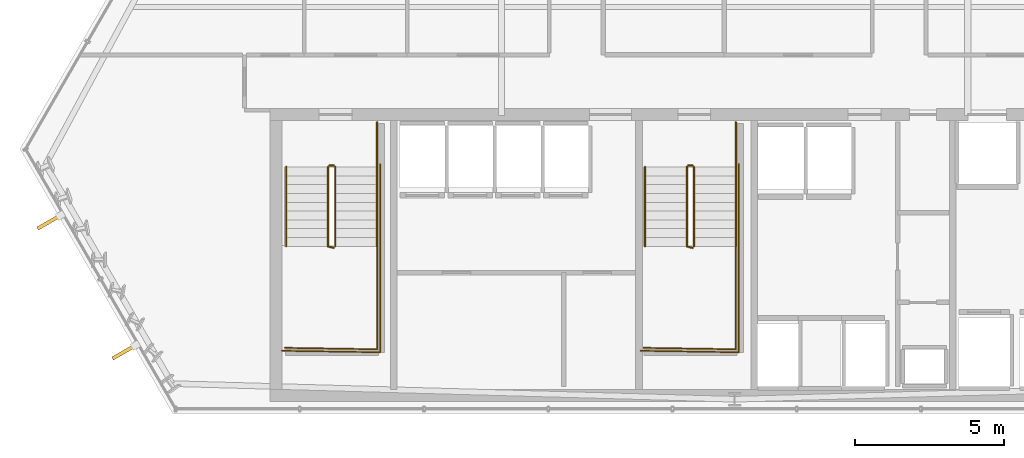
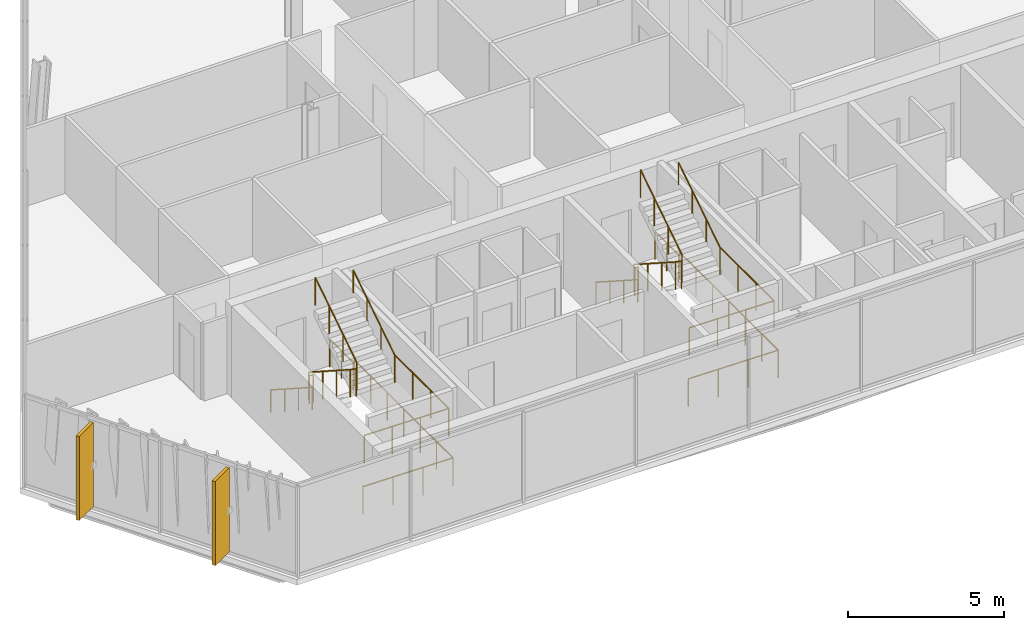
# One storey, part 32 of 35: 16 railings, 2 shading devices.
"""IFC4 building model written with IfcOpenShell, lengths in metres."""

from ifc_helpers import new_model, si_unit, direction, frame, origin, origin_2d, place, context, subcontext, project, spatial, rectangle, circle, extrude, material, layer, layer_set, type_object, element, save


model = new_model("IFC4")

# Units and contexts
model_context = context("Model", 3, precision=1e-05, world=origin(), true_north=direction((0.0, 1.0)))
body_context = subcontext(model_context, "Body", "Model", "MODEL_VIEW")
ifc_project = project(units=[si_unit("LENGTHUNIT", "METRE"), si_unit("AREAUNIT", "SQUARE_METRE"), si_unit("VOLUMEUNIT", "CUBIC_METRE"), si_unit("PLANEANGLEUNIT", "RADIAN"), si_unit("MASSUNIT", "GRAM", prefix="KILO")], contexts=[model_context])

# Site, building, storey
site_placement = place(None, origin())
site = spatial("IfcSite", under=ifc_project, at=site_placement, CompositionType="ELEMENT")
building_placement = place(site_placement, origin())
building = spatial("IfcBuilding", under=site, at=building_placement, Name="Ndaravel Arena Tower", CompositionType="ELEMENT")
storey_placement = place(building_placement, frame((0.0, 0.0, 180.199951171875)))
storey = spatial("IfcBuildingStorey", under=building, at=storey_placement, Name="L43", CompositionType="ELEMENT", Elevation=180.199951171875)

# Railings
ifc_material_1 = material(Name="Steel S355", Category="steel")
ifc_layer_1 = layer(ifc_material_1, 0.06005859375)
ifc_layer_set_1 = layer_set([ifc_layer_1], Name="Steel S355")
railing_type_1 = type_object("IfcRailingType", Name="RAIL-STAIR-GD1100", PredefinedType="GUARDRAIL", material=ifc_layer_set_1)
railing_1_placement = place(storey_placement, frame((28.39990234375, 13.25, 0.18994140625)))
element("IfcRailing", 1, at=railing_1_placement, inside=storey, type_object=railing_type_1, Name="L43 ST-1 stair guard 1", PredefinedType="GUARDRAIL", context=body_context, shape_type="SweptSolid", body=[
    extrude(circle(Radius=0.02392578125, at=origin_2d()), frame((0.0, 0.0, 1.076171875), z_axis=(0.0, -0.840688348013, 0.541519253134), x_axis=(1.0, 0.0, 0.0)), (0.0, 0.0, 1.0), 3.158203125),
    extrude(circle(Radius=0.02392578125, at=origin_2d()), frame((0.0, -2.655029296875, 2.7861328125), z_axis=(0.967074537263, -0.25449329928, 0.0), x_axis=(0.25449329928, 0.967074537263, 0.0)), (0.0, 0.0, 1.0), 0.19677734375),
    extrude(circle(Radius=0.02099609375, at=origin_2d()), origin(), (0.0, 0.0, 1.0), 1.052001953125),
    extrude(circle(Radius=0.02099609375, at=origin_2d()), frame((0.0, -0.885009765625, 0.570068359375)), (0.0, 0.0, 1.0), 1.052001953125),
    extrude(circle(Radius=0.02099609375, at=origin_2d()), frame((0.0, -1.77001953125, 1.14013671875)), (0.0, 0.0, 1.0), 1.052001953125),
    extrude(circle(Radius=0.02099609375, at=origin_2d()), frame((0.0, -2.655029296875, 1.710205078125)), (0.0, 0.0, 1.0), 1.052001953125),
    extrude(circle(Radius=0.02099609375, at=origin_2d()), frame((0.190185546875, -2.705078125, 1.710205078125)), (0.0, 0.0, 1.0), 1.052001953125),
])
railing_2_placement = place(storey_placement, frame((30.0400390625, 10.594970703125, 1.900146484375)))
element("IfcRailing", 2, at=railing_2_placement, inside=storey, type_object=railing_type_1, Name="L43 ST-1 stair guard 2", PredefinedType="GUARDRAIL", context=body_context, shape_type="SweptSolid", body=[
    extrude(circle(Radius=0.02392578125, at=origin_2d()), frame((0.0, 0.0, 1.076171875), z_axis=(0.0, -1.0, 0.0), x_axis=(1.0, 0.0, 0.0)), (0.0, 0.0, 1.0), 3.445068359375),
    extrude(circle(Radius=0.02392578125, at=origin_2d()), frame((0.0, -3.445068359375, 1.076171875), z_axis=(-0.999868861343, 0.016194447071, 0.0), x_axis=(-0.016194447071, -0.999868861343, 0.0)), (0.0, 0.0, 1.0), 3.090576171875),
    extrude(circle(Radius=0.02099609375, at=origin_2d()), origin(), (0.0, 0.0, 1.0), 1.052001953125),
    extrude(circle(Radius=0.02099609375, at=origin_2d()), frame((0.0, -1.1484375, 0.0)), (0.0, 0.0, 1.0), 1.052001953125),
    extrude(circle(Radius=0.02099609375, at=origin_2d()), frame((0.0, -2.296630859375, 0.0)), (0.0, 0.0, 1.0), 1.052001953125),
    extrude(circle(Radius=0.02099609375, at=origin_2d()), frame((0.0, -3.445068359375, 0.0)), (0.0, 0.0, 1.0), 1.052001953125),
    extrude(circle(Radius=0.02099609375, at=origin_2d()), frame((-1.030029296875, -3.428466796875, 0.0)), (0.0, 0.0, 1.0), 1.052001953125),
    extrude(circle(Radius=0.02099609375, at=origin_2d()), frame((-2.06005859375, -3.41162109375, 0.0)), (0.0, 0.0, 1.0), 1.052001953125),
    extrude(circle(Radius=0.02099609375, at=origin_2d()), frame((-3.090087890625, -3.39501953125, 0.0)), (0.0, 0.0, 1.0), 1.052001953125),
])
railing_3_placement = place(storey_placement, frame((28.639892578125, 10.594970703125, 2.090087890625)))
element("IfcRailing", 3, at=railing_3_placement, inside=storey, type_object=railing_type_1, Name="L43 ST-1 stair guard 3", PredefinedType="GUARDRAIL", context=body_context, shape_type="SweptSolid", body=[
    extrude(circle(Radius=0.02392578125, at=origin_2d()), frame((0.0, 0.0, 1.076171875), z_axis=(0.0, 0.840723540582, 0.54146461409), x_axis=(-1.0, 0.0, 0.0)), (0.0, 0.0, 1.0), 3.157958984375),
    extrude(circle(Radius=0.02099609375, at=origin_2d()), origin(), (0.0, 0.0, 1.0), 1.052001953125),
    extrude(circle(Radius=0.02099609375, at=origin_2d()), frame((0.0, 0.885009765625, 0.570068359375)), (0.0, 0.0, 1.0), 1.052001953125),
    extrude(circle(Radius=0.02099609375, at=origin_2d()), frame((0.0, 1.77001953125, 1.139892578125)), (0.0, 0.0, 1.0), 1.052001953125),
    extrude(circle(Radius=0.02099609375, at=origin_2d()), frame((0.0, 2.655029296875, 1.7099609375)), (0.0, 0.0, 1.0), 1.052001953125),
])
railing_4_placement = place(storey_placement, frame((28.449951171875, 13.300048828125, 0.0)))
element("IfcRailing", 4, at=railing_4_placement, inside=storey, type_object=railing_type_1, Name="L43 ST-1 stair guard 4", PredefinedType="GUARDRAIL", context=body_context, shape_type="SweptSolid", body=[
    extrude(circle(Radius=0.02392578125, at=origin_2d()), frame((0.0, 0.0, 1.076171875), z_axis=(1.0, 0.0, 0.0), x_axis=(0.0, 1.0, 0.0)), (0.0, 0.0, 1.0), 0.14013671875),
    extrude(circle(Radius=0.02099609375, at=origin_2d()), origin(), (0.0, 0.0, 1.0), 1.052001953125),
    extrude(circle(Radius=0.02099609375, at=origin_2d()), frame((0.14013671875, 0.0, 0.0)), (0.0, 0.0, 1.0), 1.052001953125),
])
railing_5_placement = place(storey_placement, frame((30.0400390625, 14.75, 0.0)))
element("IfcRailing", 5, at=railing_5_placement, inside=storey, type_object=railing_type_1, Name="L43 ST-1 stair guard 5", PredefinedType="GUARDRAIL", context=body_context, shape_type="SweptSolid", body=[
    extrude(circle(Radius=0.02392578125, at=origin_2d()), frame((0.0, 0.0, 1.076171875), z_axis=(0.0, -1.0, 0.0), x_axis=(1.0, 0.0, 0.0)), (0.0, 0.0, 1.0), 1.5),
    extrude(circle(Radius=0.02099609375, at=origin_2d()), origin(), (0.0, 0.0, 1.0), 1.052001953125),
    extrude(circle(Radius=0.02099609375, at=origin_2d()), frame((0.0, -0.75, 0.0)), (0.0, 0.0, 1.0), 1.052001953125),
    extrude(circle(Radius=0.02099609375, at=origin_2d()), frame((0.0, -1.5, 0.0)), (0.0, 0.0, 1.0), 1.052001953125),
])
railing_6_placement = place(storey_placement, frame((30.139892578125, 13.35009765625, 0.0)))
element("IfcRailing", 6, at=railing_6_placement, inside=storey, type_object=railing_type_1, Name="L43 ST-1 stair guard 6", PredefinedType="GUARDRAIL", context=body_context, shape_type="SweptSolid", body=[
    extrude(circle(Radius=0.02392578125, at=origin_2d()), frame((0.0, 0.0, 1.076171875), z_axis=(0.0, -1.0, 0.0), x_axis=(1.0, 0.0, 0.0)), (0.0, 0.0, 1.0), 6.300048828125),
    extrude(circle(Radius=0.02392578125, at=origin_2d()), frame((0.0, -6.300048828125, 1.076171875), z_axis=(-0.999884296952, 0.015211597839, 0.0), x_axis=(-0.015211597839, -0.999884296952, 0.0)), (0.0, 0.0, 1.0), 3.290283203125),
    extrude(circle(Radius=0.02099609375, at=origin_2d()), origin(), (0.0, 0.0, 1.0), 1.052001953125),
    extrude(circle(Radius=0.02099609375, at=origin_2d()), frame((0.0, -1.050048828125, 0.0)), (0.0, 0.0, 1.0), 1.052001953125),
    extrude(circle(Radius=0.02099609375, at=origin_2d()), frame((0.0, -2.10009765625, 0.0)), (0.0, 0.0, 1.0), 1.052001953125),
    extrude(circle(Radius=0.02099609375, at=origin_2d()), frame((0.0, -3.14990234375, 0.0)), (0.0, 0.0, 1.0), 1.052001953125),
    extrude(circle(Radius=0.02099609375, at=origin_2d()), frame((0.0, -4.199951171875, 0.0)), (0.0, 0.0, 1.0), 1.052001953125),
    extrude(circle(Radius=0.02099609375, at=origin_2d()), frame((0.0, -5.25, 0.0)), (0.0, 0.0, 1.0), 1.052001953125),
    extrude(circle(Radius=0.02099609375, at=origin_2d()), frame((0.0, -6.300048828125, 0.0)), (0.0, 0.0, 1.0), 1.052001953125),
    extrude(circle(Radius=0.02099609375, at=origin_2d()), frame((-1.0966796875, -6.283447265625, 0.0)), (0.0, 0.0, 1.0), 1.052001953125),
    extrude(circle(Radius=0.02099609375, at=origin_2d()), frame((-2.193115234375, -6.2666015625, 0.0)), (0.0, 0.0, 1.0), 1.052001953125),
    extrude(circle(Radius=0.02099609375, at=origin_2d()), frame((-3.289794921875, -6.25, 0.0)), (0.0, 0.0, 1.0), 1.052001953125),
])
railing_7_placement = place(storey_placement, frame((40.39990234375, 13.25, 0.18994140625)))
element("IfcRailing", 7, at=railing_7_placement, inside=storey, type_object=railing_type_1, Name="L43 ST-2 stair guard 1", PredefinedType="GUARDRAIL", context=body_context, shape_type="SweptSolid", body=[
    extrude(circle(Radius=0.02392578125, at=origin_2d()), frame((0.0, 0.0, 1.076171875), z_axis=(0.0, -0.840688348013, 0.541519253134), x_axis=(1.0, 0.0, 0.0)), (0.0, 0.0, 1.0), 3.158203125),
    extrude(circle(Radius=0.02392578125, at=origin_2d()), frame((0.0, -2.655029296875, 2.7861328125), z_axis=(0.967074537263, -0.25449329928, 0.0), x_axis=(0.25449329928, 0.967074537263, 0.0)), (0.0, 0.0, 1.0), 0.19677734375),
    extrude(circle(Radius=0.02099609375, at=origin_2d()), origin(), (0.0, 0.0, 1.0), 1.052001953125),
    extrude(circle(Radius=0.02099609375, at=origin_2d()), frame((0.0, -0.885009765625, 0.570068359375)), (0.0, 0.0, 1.0), 1.052001953125),
    extrude(circle(Radius=0.02099609375, at=origin_2d()), frame((0.0, -1.77001953125, 1.14013671875)), (0.0, 0.0, 1.0), 1.052001953125),
    extrude(circle(Radius=0.02099609375, at=origin_2d()), frame((0.0, -2.655029296875, 1.710205078125)), (0.0, 0.0, 1.0), 1.052001953125),
    extrude(circle(Radius=0.02099609375, at=origin_2d()), frame((0.190185546875, -2.705078125, 1.710205078125)), (0.0, 0.0, 1.0), 1.052001953125),
])
railing_8_placement = place(storey_placement, frame((42.0400390625, 10.594970703125, 1.900146484375)))
element("IfcRailing", 8, at=railing_8_placement, inside=storey, type_object=railing_type_1, Name="L43 ST-2 stair guard 2", PredefinedType="GUARDRAIL", context=body_context, shape_type="SweptSolid", body=[
    extrude(circle(Radius=0.02392578125, at=origin_2d()), frame((0.0, 0.0, 1.076171875), z_axis=(0.0, -1.0, 0.0), x_axis=(1.0, 0.0, 0.0)), (0.0, 0.0, 1.0), 3.445068359375),
    extrude(circle(Radius=0.02392578125, at=origin_2d()), frame((0.0, -3.445068359375, 1.076171875), z_axis=(-0.999868861343, 0.016194447071, 0.0), x_axis=(-0.016194447071, -0.999868861343, 0.0)), (0.0, 0.0, 1.0), 3.090576171875),
    extrude(circle(Radius=0.02099609375, at=origin_2d()), origin(), (0.0, 0.0, 1.0), 1.052001953125),
    extrude(circle(Radius=0.02099609375, at=origin_2d()), frame((0.0, -1.1484375, 0.0)), (0.0, 0.0, 1.0), 1.052001953125),
    extrude(circle(Radius=0.02099609375, at=origin_2d()), frame((0.0, -2.296630859375, 0.0)), (0.0, 0.0, 1.0), 1.052001953125),
    extrude(circle(Radius=0.02099609375, at=origin_2d()), frame((0.0, -3.445068359375, 0.0)), (0.0, 0.0, 1.0), 1.052001953125),
    extrude(circle(Radius=0.02099609375, at=origin_2d()), frame((-1.030029296875, -3.428466796875, 0.0)), (0.0, 0.0, 1.0), 1.052001953125),
    extrude(circle(Radius=0.02099609375, at=origin_2d()), frame((-2.06005859375, -3.41162109375, 0.0)), (0.0, 0.0, 1.0), 1.052001953125),
    extrude(circle(Radius=0.02099609375, at=origin_2d()), frame((-3.090087890625, -3.39501953125, 0.0)), (0.0, 0.0, 1.0), 1.052001953125),
])
railing_9_placement = place(storey_placement, frame((40.639892578125, 10.594970703125, 2.090087890625)))
element("IfcRailing", 9, at=railing_9_placement, inside=storey, type_object=railing_type_1, Name="L43 ST-2 stair guard 3", PredefinedType="GUARDRAIL", context=body_context, shape_type="SweptSolid", body=[
    extrude(circle(Radius=0.02392578125, at=origin_2d()), frame((0.0, 0.0, 1.076171875), z_axis=(0.0, 0.840723540582, 0.54146461409), x_axis=(-1.0, 0.0, 0.0)), (0.0, 0.0, 1.0), 3.157958984375),
    extrude(circle(Radius=0.02099609375, at=origin_2d()), origin(), (0.0, 0.0, 1.0), 1.052001953125),
    extrude(circle(Radius=0.02099609375, at=origin_2d()), frame((0.0, 0.885009765625, 0.570068359375)), (0.0, 0.0, 1.0), 1.052001953125),
    extrude(circle(Radius=0.02099609375, at=origin_2d()), frame((0.0, 1.77001953125, 1.139892578125)), (0.0, 0.0, 1.0), 1.052001953125),
    extrude(circle(Radius=0.02099609375, at=origin_2d()), frame((0.0, 2.655029296875, 1.7099609375)), (0.0, 0.0, 1.0), 1.052001953125),
])
railing_10_placement = place(storey_placement, frame((40.449951171875, 13.300048828125, 0.0)))
element("IfcRailing", 10, at=railing_10_placement, inside=storey, type_object=railing_type_1, Name="L43 ST-2 stair guard 4", PredefinedType="GUARDRAIL", context=body_context, shape_type="SweptSolid", body=[
    extrude(circle(Radius=0.02392578125, at=origin_2d()), frame((0.0, 0.0, 1.076171875), z_axis=(1.0, 0.0, 0.0), x_axis=(0.0, 1.0, 0.0)), (0.0, 0.0, 1.0), 0.14013671875),
    extrude(circle(Radius=0.02099609375, at=origin_2d()), origin(), (0.0, 0.0, 1.0), 1.052001953125),
    extrude(circle(Radius=0.02099609375, at=origin_2d()), frame((0.14013671875, 0.0, 0.0)), (0.0, 0.0, 1.0), 1.052001953125),
])
railing_11_placement = place(storey_placement, frame((42.0400390625, 14.75, 0.0)))
element("IfcRailing", 11, at=railing_11_placement, inside=storey, type_object=railing_type_1, Name="L43 ST-2 stair guard 5", PredefinedType="GUARDRAIL", context=body_context, shape_type="SweptSolid", body=[
    extrude(circle(Radius=0.02392578125, at=origin_2d()), frame((0.0, 0.0, 1.076171875), z_axis=(0.0, -1.0, 0.0), x_axis=(1.0, 0.0, 0.0)), (0.0, 0.0, 1.0), 1.5),
    extrude(circle(Radius=0.02099609375, at=origin_2d()), origin(), (0.0, 0.0, 1.0), 1.052001953125),
    extrude(circle(Radius=0.02099609375, at=origin_2d()), frame((0.0, -0.75, 0.0)), (0.0, 0.0, 1.0), 1.052001953125),
    extrude(circle(Radius=0.02099609375, at=origin_2d()), frame((0.0, -1.5, 0.0)), (0.0, 0.0, 1.0), 1.052001953125),
])
railing_12_placement = place(storey_placement, frame((42.139892578125, 13.35009765625, 0.0)))
element("IfcRailing", 12, at=railing_12_placement, inside=storey, type_object=railing_type_1, Name="L43 ST-2 stair guard 6", PredefinedType="GUARDRAIL", context=body_context, shape_type="SweptSolid", body=[
    extrude(circle(Radius=0.02392578125, at=origin_2d()), frame((0.0, 0.0, 1.076171875), z_axis=(0.0, -1.0, 0.0), x_axis=(1.0, 0.0, 0.0)), (0.0, 0.0, 1.0), 6.300048828125),
    extrude(circle(Radius=0.02392578125, at=origin_2d()), frame((0.0, -6.300048828125, 1.076171875), z_axis=(-0.999884296952, 0.015211597839, 0.0), x_axis=(-0.015211597839, -0.999884296952, 0.0)), (0.0, 0.0, 1.0), 3.290283203125),
    extrude(circle(Radius=0.02099609375, at=origin_2d()), origin(), (0.0, 0.0, 1.0), 1.052001953125),
    extrude(circle(Radius=0.02099609375, at=origin_2d()), frame((0.0, -1.050048828125, 0.0)), (0.0, 0.0, 1.0), 1.052001953125),
    extrude(circle(Radius=0.02099609375, at=origin_2d()), frame((0.0, -2.10009765625, 0.0)), (0.0, 0.0, 1.0), 1.052001953125),
    extrude(circle(Radius=0.02099609375, at=origin_2d()), frame((0.0, -3.14990234375, 0.0)), (0.0, 0.0, 1.0), 1.052001953125),
    extrude(circle(Radius=0.02099609375, at=origin_2d()), frame((0.0, -4.199951171875, 0.0)), (0.0, 0.0, 1.0), 1.052001953125),
    extrude(circle(Radius=0.02099609375, at=origin_2d()), frame((0.0, -5.25, 0.0)), (0.0, 0.0, 1.0), 1.052001953125),
    extrude(circle(Radius=0.02099609375, at=origin_2d()), frame((0.0, -6.300048828125, 0.0)), (0.0, 0.0, 1.0), 1.052001953125),
    extrude(circle(Radius=0.02099609375, at=origin_2d()), frame((-1.0966796875, -6.283447265625, 0.0)), (0.0, 0.0, 1.0), 1.052001953125),
    extrude(circle(Radius=0.02099609375, at=origin_2d()), frame((-2.193115234375, -6.2666015625, 0.0)), (0.0, 0.0, 1.0), 1.052001953125),
    extrude(circle(Radius=0.02099609375, at=origin_2d()), frame((-3.289794921875, -6.25, 0.0)), (0.0, 0.0, 1.0), 1.052001953125),
])
ifc_material_2 = material(Name="Steel S355", Category="steel")
ifc_layer_2 = layer(ifc_material_2, 0.050048828125)
ifc_layer_set_2 = layer_set([ifc_layer_2], Name="Steel S355")
railing_type_2 = type_object("IfcRailingType", Name="RAIL-STAIR-HR920", PredefinedType="HANDRAIL", material=ifc_layer_set_2)
railing_13_placement = place(storey_placement, frame((27.0, 13.25, 0.18994140625)))
element("IfcRailing", 13, at=railing_13_placement, inside=storey, type_object=railing_type_2, Name="L43 ST-1 stair handrail 1", PredefinedType="HANDRAIL", context=body_context, shape_type="SweptSolid", body=[
    extrude(circle(Radius=0.02392578125, at=origin_2d()), frame((0.0, 0.0, 0.8759765625), z_axis=(0.0, -0.840688348013, 0.541519253134), x_axis=(1.0, 0.0, 0.0)), (0.0, 0.0, 1.0), 3.158203125),
    extrude(circle(Radius=0.02099609375, at=origin_2d()), origin(), (0.0, 0.0, 1.0), 0.851806640625),
    extrude(circle(Radius=0.02099609375, at=origin_2d()), frame((0.0, -0.885009765625, 0.570068359375)), (0.0, 0.0, 1.0), 0.851806640625),
    extrude(circle(Radius=0.02099609375, at=origin_2d()), frame((0.0, -1.77001953125, 1.14013671875)), (0.0, 0.0, 1.0), 0.851806640625),
    extrude(circle(Radius=0.02099609375, at=origin_2d()), frame((0.0, -2.655029296875, 1.710205078125)), (0.0, 0.0, 1.0), 0.851806640625),
])
railing_14_placement = place(storey_placement, frame((30.0400390625, 10.594970703125, 2.090087890625)))
element("IfcRailing", 14, at=railing_14_placement, inside=storey, type_object=railing_type_2, Name="L43 ST-1 stair handrail 2", PredefinedType="HANDRAIL", context=body_context, shape_type="SweptSolid", body=[
    extrude(circle(Radius=0.02392578125, at=origin_2d()), frame((0.0, 0.0, 0.8759765625), z_axis=(0.0, 0.840723540582, 0.54146461409), x_axis=(-1.0, 0.0, 0.0)), (0.0, 0.0, 1.0), 3.157958984375),
    extrude(circle(Radius=0.02099609375, at=origin_2d()), origin(), (0.0, 0.0, 1.0), 0.851806640625),
    extrude(circle(Radius=0.02099609375, at=origin_2d()), frame((0.0, 0.885009765625, 0.570068359375)), (0.0, 0.0, 1.0), 0.851806640625),
    extrude(circle(Radius=0.02099609375, at=origin_2d()), frame((0.0, 1.77001953125, 1.139892578125)), (0.0, 0.0, 1.0), 0.851806640625),
    extrude(circle(Radius=0.02099609375, at=origin_2d()), frame((0.0, 2.655029296875, 1.7099609375)), (0.0, 0.0, 1.0), 0.851806640625),
])
railing_15_placement = place(storey_placement, frame((39.0, 13.25, 0.18994140625)))
element("IfcRailing", 15, at=railing_15_placement, inside=storey, type_object=railing_type_2, Name="L43 ST-2 stair handrail 1", PredefinedType="HANDRAIL", context=body_context, shape_type="SweptSolid", body=[
    extrude(circle(Radius=0.02392578125, at=origin_2d()), frame((0.0, 0.0, 0.8759765625), z_axis=(0.0, -0.840688348013, 0.541519253134), x_axis=(1.0, 0.0, 0.0)), (0.0, 0.0, 1.0), 3.158203125),
    extrude(circle(Radius=0.02099609375, at=origin_2d()), origin(), (0.0, 0.0, 1.0), 0.851806640625),
    extrude(circle(Radius=0.02099609375, at=origin_2d()), frame((0.0, -0.885009765625, 0.570068359375)), (0.0, 0.0, 1.0), 0.851806640625),
    extrude(circle(Radius=0.02099609375, at=origin_2d()), frame((0.0, -1.77001953125, 1.14013671875)), (0.0, 0.0, 1.0), 0.851806640625),
    extrude(circle(Radius=0.02099609375, at=origin_2d()), frame((0.0, -2.655029296875, 1.710205078125)), (0.0, 0.0, 1.0), 0.851806640625),
])
railing_16_placement = place(storey_placement, frame((42.0400390625, 10.594970703125, 2.090087890625)))
element("IfcRailing", 16, at=railing_16_placement, inside=storey, type_object=railing_type_2, Name="L43 ST-2 stair handrail 2", PredefinedType="HANDRAIL", context=body_context, shape_type="SweptSolid", body=[
    extrude(circle(Radius=0.02392578125, at=origin_2d()), frame((0.0, 0.0, 0.8759765625), z_axis=(0.0, 0.840723540582, 0.54146461409), x_axis=(-1.0, 0.0, 0.0)), (0.0, 0.0, 1.0), 3.157958984375),
    extrude(circle(Radius=0.02099609375, at=origin_2d()), origin(), (0.0, 0.0, 1.0), 0.851806640625),
    extrude(circle(Radius=0.02099609375, at=origin_2d()), frame((0.0, 0.885009765625, 0.570068359375)), (0.0, 0.0, 1.0), 0.851806640625),
    extrude(circle(Radius=0.02099609375, at=origin_2d()), frame((0.0, 1.77001953125, 1.139892578125)), (0.0, 0.0, 1.0), 0.851806640625),
    extrude(circle(Radius=0.02099609375, at=origin_2d()), frame((0.0, 2.655029296875, 1.7099609375)), (0.0, 0.0, 1.0), 0.851806640625),
])

# Shading devices
ifc_material_3 = material(Name="Masonry", Category="masonry")
shading_device_type = type_object("IfcShadingDeviceType", Name="SHD-MAZERAS-FIN", PredefinedType="SHUTTER", material=ifc_material_3)
for number, where, z_axis, x_axis, name in (
    (17, (19.070068359375, 11.41259765625, 0.14990234375), (0.0, 0.0, 1.0), (-0.866025403784, -0.5, 0.0), "L43 Mazeras Stone Solar Fin E6.1"),
    (18, (21.579345703125, 7.066162109375, 0.14990234375), (0.0, 0.0, 1.0), (-0.866025403784, -0.5, 0.0), "L43 Mazeras Stone Solar Fin E6.2"),
):
    element("IfcShadingDevice", number, at=place(storey_placement, frame(where, z_axis=z_axis, x_axis=x_axis)), inside=storey, type_object=shading_device_type, Name=name, PredefinedType="SHUTTER", context=body_context, shape_type="SweptSolid", body=[
        extrude(rectangle(XDim=0.89990234375, YDim=0.1201171875, at=origin_2d()), origin(), (0.0, 0.0, 1.0), 3.280029296875),
    ])

save(model, "model.ifc")
